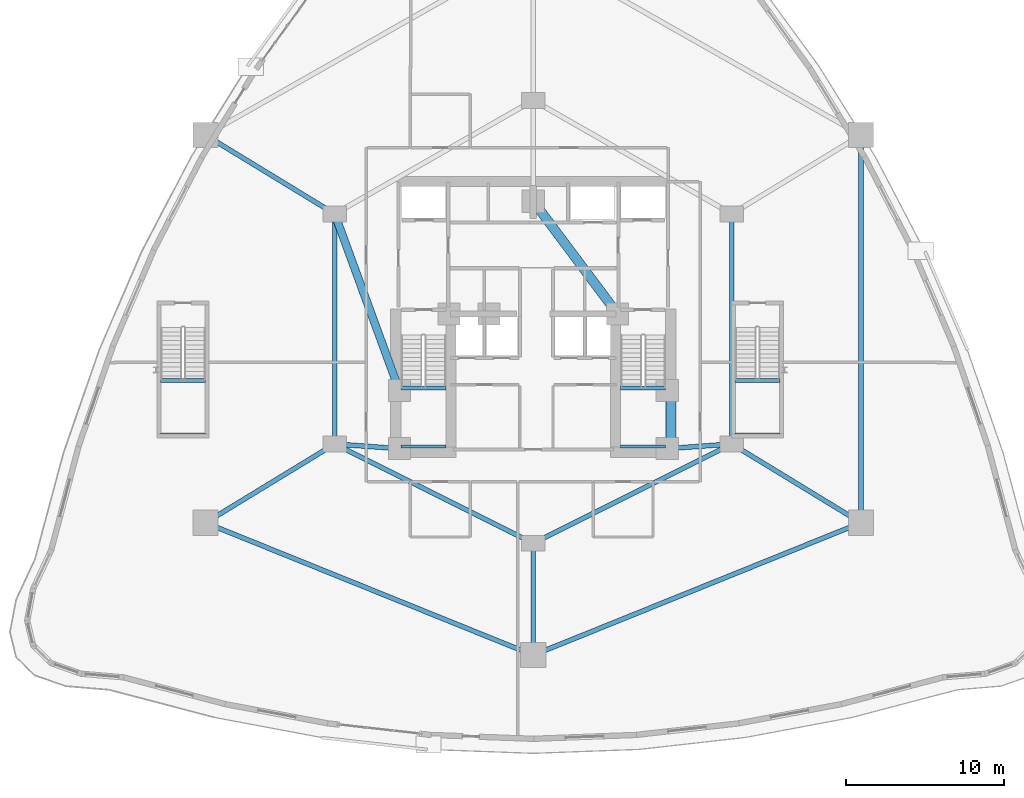
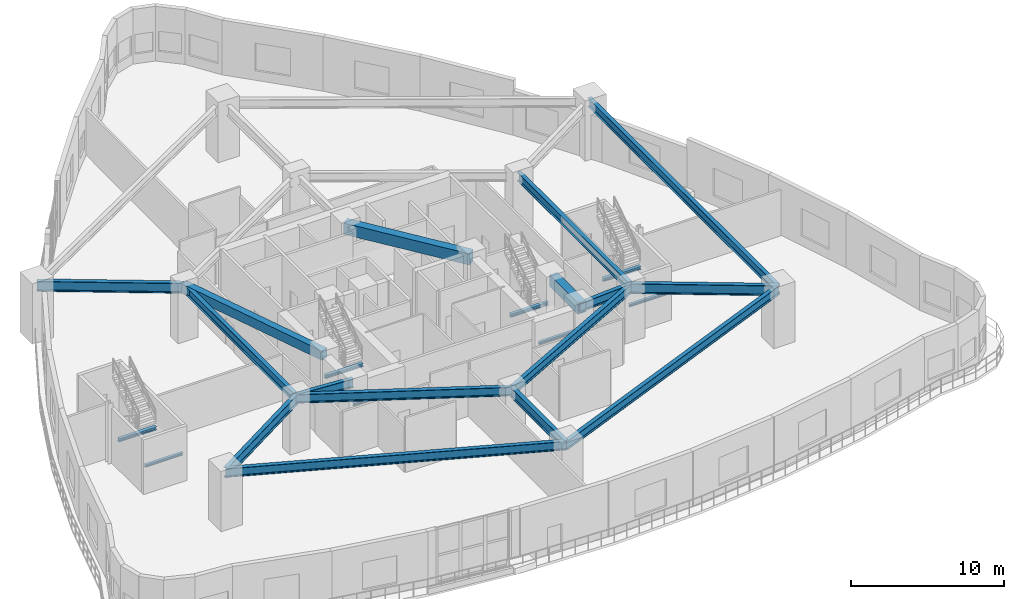
# One storey, part 5 of 19: 24 beams.
"""IFC4 building model written with IfcOpenShell, lengths in metres."""

from ifc_helpers import new_model, si_unit, direction, frame, origin, origin_2d, place, context, subcontext, project, spatial, rectangle, i_section, extrude, material, material_profile, profile_set, type_object, element, save


model = new_model("IFC4")

# Units and contexts
model_context = context("Model", 3, precision=1e-05, world=origin(), true_north=direction((0.0, 1.0)))
body_context = subcontext(model_context, "Body", "Model", "MODEL_VIEW")
ifc_project = project(units=[si_unit("LENGTHUNIT", "METRE"), si_unit("AREAUNIT", "SQUARE_METRE"), si_unit("VOLUMEUNIT", "CUBIC_METRE"), si_unit("PLANEANGLEUNIT", "RADIAN"), si_unit("MASSUNIT", "GRAM", prefix="KILO")], contexts=[model_context])

# Site, building, storey
site_placement = place(None, origin())
site = spatial("IfcSite", under=ifc_project, at=site_placement, CompositionType="ELEMENT")
building_placement = place(site_placement, origin())
building = spatial("IfcBuilding", under=site, at=building_placement, Name="Miruveldt Soraemaru", CompositionType="ELEMENT")
storey_placement = place(building_placement, frame((0.0, 0.0, 19.199951171875)))
storey = spatial("IfcBuildingStorey", under=building, at=storey_placement, Name="L05", CompositionType="ELEMENT", Elevation=19.199951171875)

# Beams
ifc_material_1 = material(Name="Concrete C40/50 (40 MPa)", Category="concrete")
ifc_material_profile_1 = material_profile(ifc_material_1, rectangle(XDim=0.5, YDim=0.75, at=origin_2d()), Name="Concrete C40/50 (40 MPa)", Category="concrete")
ifc_profile_set_1 = profile_set([ifc_material_profile_1], Name="Concrete C40/50 (40 MPa)")
beam_type_1 = type_object("IfcBeamType", Name="BM-RC-500x750", PredefinedType="LINTEL", material=ifc_profile_set_1)
beam_1_placement = place(storey_placement, frame((31.39990234375, 50.39990234375, 3.97509765625), z_axis=(0.343770424598, -0.939053723262, 0.0), x_axis=(0.939053723262, 0.343770424598, 0.0)))
element("IfcBeam", 1, at=beam_1_placement, inside=storey, type_object=beam_type_1, Name="L05 West Lobby Lintel", PredefinedType="LINTEL", context=body_context, shape_type="SweptSolid", body=[
    extrude(rectangle(XDim=0.5, YDim=0.75, at=origin_2d()), origin(), (0.0, 0.0, 1.0), 11.9267578125),
])
ifc_material_2 = material(Name="Concrete C60/75 (60 MPa)", Category="concrete")
ifc_material_profile_2 = material_profile(ifc_material_2, rectangle(XDim=0.60009765625, YDim=0.89990234375, at=origin_2d()), Name="Concrete C60/75 (60 MPa)", Category="concrete")
ifc_profile_set_2 = profile_set([ifc_material_profile_2], Name="Concrete C60/75 (60 MPa)")
beam_type_2 = type_object("IfcBeamType", Name="BM-RC-600x900", PredefinedType="BEAM", material=ifc_profile_set_2)
beam_2_placement = place(storey_placement, frame((52.72998046875, 35.5, 3.900146484375), z_axis=(0.0, 1.0, 0.0), x_axis=(-1.0, 0.0, 0.0)))
element("IfcBeam", 2, at=beam_2_placement, inside=storey, type_object=beam_type_2, Name="L05 Core Tie Beam 3", PredefinedType="BEAM", context=body_context, shape_type="SweptSolid", body=[
    extrude(rectangle(XDim=0.60009765625, YDim=0.89990234375, at=origin_2d()), origin(), (0.0, 0.0, 1.0), 3.699951171875),
])
beam_3_placement = place(storey_placement, frame((49.35009765625, 44.050048828125, 3.900146484375), z_axis=(-0.599116023999, 0.800662219533, 0.0), x_axis=(-0.800662219533, -0.599116023999, 0.0)))
element("IfcBeam", 3, at=beam_3_placement, inside=storey, type_object=beam_type_2, Name="L05 Core Tie Beam 5", PredefinedType="BEAM", context=body_context, shape_type="SweptSolid", body=[
    extrude(rectangle(XDim=0.60009765625, YDim=0.89990234375, at=origin_2d()), origin(), (0.0, 0.0, 1.0), 8.929931640625),
])
ifc_material_3 = material(Name="Steel SM355 (355 MPa)", Category="steel")
ifc_material_profile_3 = material_profile(ifc_material_3, i_section(OverallWidth=0.300048828125, OverallDepth=0.699951171875, WebThickness=0.012939453125, FlangeThickness=0.02392578125, FilletRadius=0.028076171875, at=origin_2d()), Name="Steel SM355 (355 MPa)", Category="steel")
ifc_profile_set_3 = profile_set([ifc_material_profile_3], Name="Steel SM355 (355 MPa)")
beam_type_3 = type_object("IfcBeamType", Name="BM-ST-H700", PredefinedType="BEAM", material=ifc_profile_set_3)
beam_4_placement = place(storey_placement, frame((56.60009765625, 50.39990234375, 4.0), z_axis=(0.0, -1.0, 0.0), x_axis=(1.0, 0.0, 0.0)))
element("IfcBeam", 4, at=beam_4_placement, inside=storey, type_object=beam_type_3, Name="L05 Inner Ring Girder 2", PredefinedType="BEAM", context=body_context, shape_type="SweptSolid", body=[
    extrude(i_section(OverallWidth=0.300048828125, OverallDepth=0.699951171875, WebThickness=0.012939453125, FlangeThickness=0.02392578125, FilletRadius=0.028076171875, at=origin_2d()), origin(), (0.0, 0.0, 1.0), 14.599853515625),
])
beam_5_placement = place(storey_placement, frame((56.60009765625, 35.800048828125, 4.0), z_axis=(-0.894427191, -0.4472135955, 0.0), x_axis=(0.4472135955, -0.894427191, 0.0)))
element("IfcBeam", 5, at=beam_5_placement, inside=storey, type_object=beam_type_3, Name="L05 Inner Ring Girder 3", PredefinedType="BEAM", context=body_context, shape_type="SweptSolid", body=[
    extrude(i_section(OverallWidth=0.300048828125, OverallDepth=0.699951171875, WebThickness=0.012939453125, FlangeThickness=0.02392578125, FilletRadius=0.028076171875, at=origin_2d()), origin(), (0.0, 0.0, 1.0), 14.08740234375),
])
beam_6_placement = place(storey_placement, frame((52.5, 35.5, 4.0), z_axis=(0.997332985605, 0.072985723431, 0.0), x_axis=(-0.072985723431, 0.997332985605, 0.0)))
element("IfcBeam", 6, at=beam_6_placement, inside=storey, type_object=beam_type_3, Name="L05 Core-to-Inner Radial Girder 3", PredefinedType="BEAM", context=body_context, shape_type="SweptSolid", body=[
    extrude(i_section(OverallWidth=0.300048828125, OverallDepth=0.699951171875, WebThickness=0.012939453125, FlangeThickness=0.02392578125, FilletRadius=0.028076171875, at=origin_2d()), origin(), (0.0, 0.0, 1.0), 4.111083984375),
])
beam_7_placement = place(storey_placement, frame((44.0, 29.5, 4.0), z_axis=(-0.894427191, 0.4472135955, 0.0), x_axis=(-0.4472135955, -0.894427191, 0.0)))
element("IfcBeam", 7, at=beam_7_placement, inside=storey, type_object=beam_type_3, Name="L05 Inner Ring Girder 4", PredefinedType="BEAM", context=body_context, shape_type="SweptSolid", body=[
    extrude(i_section(OverallWidth=0.300048828125, OverallDepth=0.699951171875, WebThickness=0.012939453125, FlangeThickness=0.02392578125, FilletRadius=0.028076171875, at=origin_2d()), origin(), (0.0, 0.0, 1.0), 14.08740234375),
])
beam_8_placement = place(storey_placement, frame((31.39990234375, 35.800048828125, 4.0), z_axis=(0.0, 1.0, 0.0), x_axis=(-1.0, 0.0, 0.0)))
element("IfcBeam", 8, at=beam_8_placement, inside=storey, type_object=beam_type_3, Name="L05 Inner Ring Girder 5", PredefinedType="BEAM", context=body_context, shape_type="SweptSolid", body=[
    extrude(i_section(OverallWidth=0.300048828125, OverallDepth=0.699951171875, WebThickness=0.012939453125, FlangeThickness=0.02392578125, FilletRadius=0.028076171875, at=origin_2d()), origin(), (0.0, 0.0, 1.0), 14.599853515625),
])
beam_9_placement = place(storey_placement, frame((35.5, 35.5, 4.0), z_axis=(-0.997332985605, 0.072985723431, 0.0), x_axis=(-0.072985723431, -0.997332985605, 0.0)))
element("IfcBeam", 9, at=beam_9_placement, inside=storey, type_object=beam_type_3, Name="L05 Core-to-Inner Radial Girder 5", PredefinedType="BEAM", context=body_context, shape_type="SweptSolid", body=[
    extrude(i_section(OverallWidth=0.300048828125, OverallDepth=0.699951171875, WebThickness=0.012939453125, FlangeThickness=0.02392578125, FilletRadius=0.028076171875, at=origin_2d()), origin(), (0.0, 0.0, 1.0), 4.111083984375),
])
beam_10_placement = place(storey_placement, frame((64.800048828125, 55.39990234375, 4.0), z_axis=(0.0, -1.0, 0.0), x_axis=(1.0, 0.0, 0.0)))
element("IfcBeam", 10, at=beam_10_placement, inside=storey, type_object=beam_type_3, Name="L05 Podium Ring Girder 2", PredefinedType="BEAM", context=body_context, shape_type="SweptSolid", body=[
    extrude(i_section(OverallWidth=0.300048828125, OverallDepth=0.699951171875, WebThickness=0.012939453125, FlangeThickness=0.02392578125, FilletRadius=0.028076171875, at=origin_2d()), origin(), (0.0, 0.0, 1.0), 24.599853515625),
])
for number, where, z_axis, x_axis, name in (
    (11, (64.800048828125, 30.800048828125, 4.0), (-0.927239874954, -0.374467908231, 0.0), (0.374467908231, -0.927239874954, 0.0), "L05 Podium Ring Girder 3"),
    (12, (44.0, 22.39990234375, 4.0), (-0.927239874954, 0.374467908231, 0.0), (-0.374467908231, -0.927239874954, 0.0), "L05 Podium Ring Girder 4"),
):
    element("IfcBeam", number, at=place(storey_placement, frame(where, z_axis=z_axis, x_axis=x_axis)), inside=storey, type_object=beam_type_3, Name=name, PredefinedType="BEAM", context=body_context, shape_type="SweptSolid", body=[
        extrude(i_section(OverallWidth=0.300048828125, OverallDepth=0.699951171875, WebThickness=0.012939453125, FlangeThickness=0.02392578125, FilletRadius=0.028076171875, at=origin_2d()), origin(), (0.0, 0.0, 1.0), 22.43212890625),
    ])
ifc_material_4 = material(Name="Steel S460 (460 MPa)", Category="steel")
ifc_material_profile_4 = material_profile(ifc_material_4, i_section(OverallWidth=0.300048828125, OverallDepth=0.800048828125, WebThickness=0.013916015625, FlangeThickness=0.02587890625, FilletRadius=0.028076171875, at=origin_2d()), Name="Steel S460 (460 MPa)", Category="steel")
ifc_profile_set_4 = profile_set([ifc_material_profile_4], Name="Steel S460 (460 MPa)")
beam_type_4 = type_object("IfcBeamType", Name="BM-ST-H800", PredefinedType="BEAM", material=ifc_profile_set_4)
beam_11_placement = place(storey_placement, frame((56.60009765625, 35.800048828125, 3.949951171875), z_axis=(0.853794797843, -0.520609684098, 0.0), x_axis=(0.520609684098, 0.853794797843, 0.0)))
element("IfcBeam", 13, at=beam_11_placement, inside=storey, type_object=beam_type_4, Name="L05 Podium Radial Girder 3", PredefinedType="BEAM", context=body_context, shape_type="SweptSolid", body=[
    extrude(i_section(OverallWidth=0.300048828125, OverallDepth=0.800048828125, WebThickness=0.013916015625, FlangeThickness=0.02587890625, FilletRadius=0.028076171875, at=origin_2d()), origin(), (0.0, 0.0, 1.0), 9.60400390625),
])
beam_12_placement = place(storey_placement, frame((44.0, 29.5, 3.949951171875), z_axis=(0.0, -1.0, 0.0), x_axis=(1.0, 0.0, 0.0)))
element("IfcBeam", 14, at=beam_12_placement, inside=storey, type_object=beam_type_4, Name="L05 Podium Radial Girder 4", PredefinedType="BEAM", context=body_context, shape_type="SweptSolid", body=[
    extrude(i_section(OverallWidth=0.300048828125, OverallDepth=0.800048828125, WebThickness=0.013916015625, FlangeThickness=0.02587890625, FilletRadius=0.028076171875, at=origin_2d()), origin(), (0.0, 0.0, 1.0), 7.10009765625),
])
for number, where, z_axis, x_axis, name in (
    (15, (31.39990234375, 35.800048828125, 3.949951171875), (-0.853794797843, -0.520609684098, 0.0), (0.520609684098, -0.853794797843, 0.0), "L05 Podium Radial Girder 5"),
    (16, (31.39990234375, 50.39990234375, 3.949951171875), (-0.853794797843, 0.520609684098, 0.0), (-0.520609684098, -0.853794797843, 0.0), "L05 Podium Radial Girder 6"),
):
    element("IfcBeam", number, at=place(storey_placement, frame(where, z_axis=z_axis, x_axis=x_axis)), inside=storey, type_object=beam_type_4, Name=name, PredefinedType="BEAM", context=body_context, shape_type="SweptSolid", body=[
        extrude(i_section(OverallWidth=0.300048828125, OverallDepth=0.800048828125, WebThickness=0.013916015625, FlangeThickness=0.02587890625, FilletRadius=0.028076171875, at=origin_2d()), origin(), (0.0, 0.0, 1.0), 9.60400390625),
    ])
ifc_material_profile_5 = material_profile(ifc_material_3, i_section(OverallWidth=0.199951171875, OverallDepth=0.199951171875, WebThickness=0.008056640625, FlangeThickness=0.011962890625, FilletRadius=0.012939453125, at=origin_2d()), Name="Steel SM355 (355 MPa)", Category="steel")
ifc_profile_set_5 = profile_set([ifc_material_profile_5], Name="Steel SM355 (355 MPa)")
beam_type_5 = type_object("IfcBeamType", Name="BM-ST-LND200", PredefinedType="BEAM", material=ifc_profile_set_5)
for number, where, z_axis, x_axis, name in (
    (17, (35.60009765625, 35.64990234375, 2.10009765625), (1.0, 0.0, 0.0), (0.0, 1.0, 0.0), "L05 ST1 Landing End Beam 1B"),
    (18, (49.550048828125, 35.64990234375, 2.10009765625), (1.0, 0.0, 0.0), (0.0, 1.0, 0.0), "L05 ST2 Landing End Beam 1B"),
    (19, (20.35009765625, 36.39990234375, 2.10009765625), (1.0, 0.0, 0.0), (0.0, 1.0, 0.0), "L05 ST3 Landing End Beam 1B"),
    (20, (56.800048828125, 36.39990234375, 2.10009765625), (1.0, 0.0, 0.0), (0.0, 1.0, 0.0), "L05 ST4 Landing End Beam 1B"),
):
    element("IfcBeam", number, at=place(storey_placement, frame(where, z_axis=z_axis, x_axis=x_axis)), inside=storey, type_object=beam_type_5, Name=name, PredefinedType="BEAM", context=body_context, shape_type="SweptSolid", body=[
        extrude(i_section(OverallWidth=0.199951171875, OverallDepth=0.199951171875, WebThickness=0.008056640625, FlangeThickness=0.011962890625, FilletRadius=0.012939453125, at=origin_2d()), origin(), (0.0, 0.0, 1.0), 2.849853515625),
    ])
ifc_material_profile_6 = material_profile(ifc_material_3, i_section(OverallWidth=0.25, OverallDepth=0.25, WebThickness=0.009033203125, FlangeThickness=0.013916015625, FilletRadius=0.01611328125, at=origin_2d()), Name="Steel SM355 (355 MPa)", Category="steel")
ifc_profile_set_6 = profile_set([ifc_material_profile_6], Name="Steel SM355 (355 MPa)")
beam_type_6 = type_object("IfcBeamType", Name="BM-ST-LND250", PredefinedType="BEAM", material=ifc_profile_set_6)
for number, where, z_axis, x_axis, name in (
    (21, (35.60009765625, 39.340087890625, 2.074951171875), (1.0, 0.0, 0.0), (0.0, 1.0, 0.0), "L05 ST1 Landing Support Beam 1A"),
    (22, (49.550048828125, 39.340087890625, 2.074951171875), (1.0, 0.0, 0.0), (0.0, 1.0, 0.0), "L05 ST2 Landing Support Beam 1A"),
    (23, (20.35009765625, 39.840087890625, 2.074951171875), (1.0, 0.0, 0.0), (0.0, 1.0, 0.0), "L05 ST3 Landing Support Beam 1A"),
    (24, (56.800048828125, 39.840087890625, 2.074951171875), (1.0, 0.0, 0.0), (0.0, 1.0, 0.0), "L05 ST4 Landing Support Beam 1A"),
):
    element("IfcBeam", number, at=place(storey_placement, frame(where, z_axis=z_axis, x_axis=x_axis)), inside=storey, type_object=beam_type_6, Name=name, PredefinedType="BEAM", context=body_context, shape_type="SweptSolid", body=[
        extrude(i_section(OverallWidth=0.25, OverallDepth=0.25, WebThickness=0.009033203125, FlangeThickness=0.013916015625, FilletRadius=0.01611328125, at=origin_2d()), origin(), (0.0, 0.0, 1.0), 2.849853515625),
    ])

save(model, "model.ifc")
